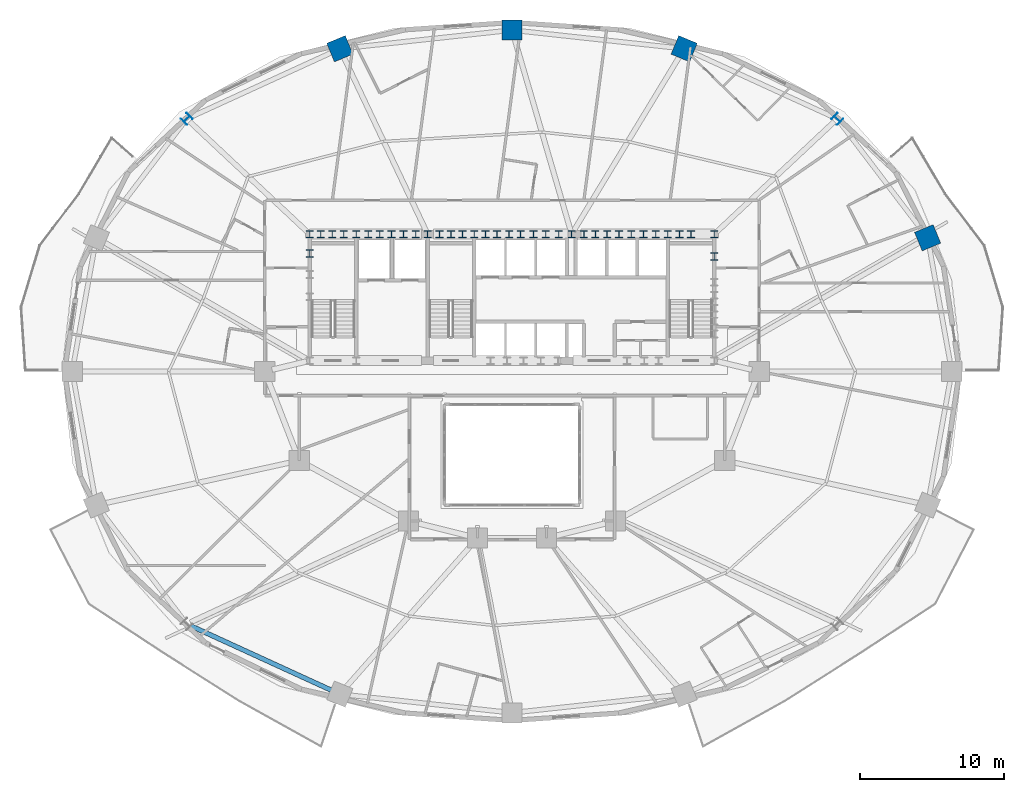
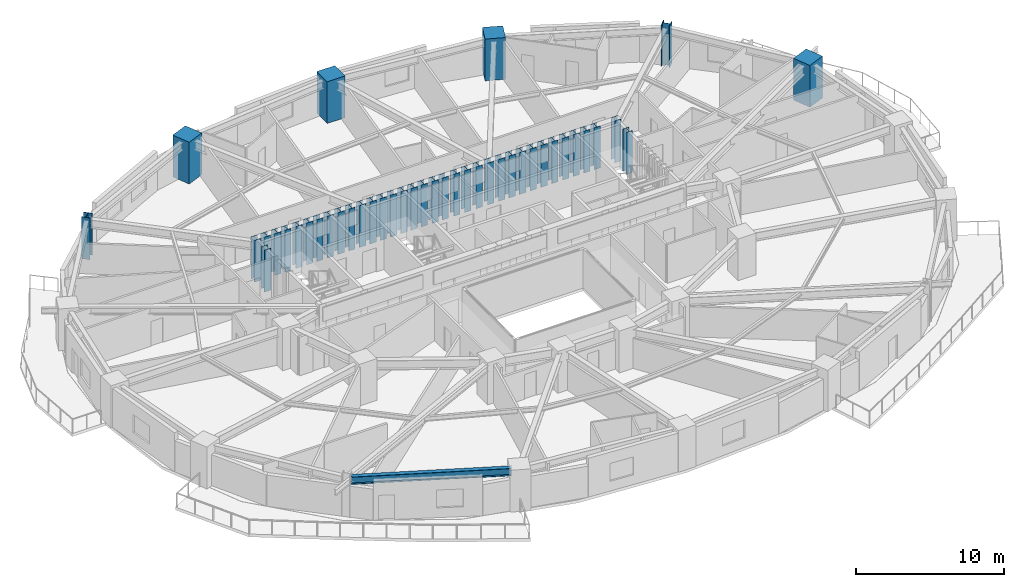
# One storey, part 2 of 17: 42 columns, 1 beam.
"""IFC4 building model written with IfcOpenShell, lengths in metres."""

from ifc_helpers import new_model, si_unit, direction, frame, origin, origin_2d, place, context, subcontext, project, spatial, rectangle, i_section, extrude, material, material_profile, profile_set, type_object, element, save


model = new_model("IFC4")

# Units and contexts
model_context = context("Model", 3, precision=1e-05, world=origin(), true_north=direction((0.0, 1.0)))
body_context = subcontext(model_context, "Body", "Model", "MODEL_VIEW")
ifc_project = project(units=[si_unit("LENGTHUNIT", "METRE"), si_unit("AREAUNIT", "SQUARE_METRE"), si_unit("VOLUMEUNIT", "CUBIC_METRE"), si_unit("PLANEANGLEUNIT", "RADIAN"), si_unit("MASSUNIT", "GRAM", prefix="KILO")], contexts=[model_context])

# Site, building, storey
site_placement = place(None, origin())
site = spatial("IfcSite", under=ifc_project, at=site_placement, CompositionType="ELEMENT")
building_placement = place(site_placement, origin())
building = spatial("IfcBuilding", under=site, at=building_placement, Name="Haldorwick Loom Tower", CompositionType="ELEMENT")
storey_placement = place(building_placement, frame((0.0, 0.0, 58.5)))
storey = spatial("IfcBuildingStorey", under=building, at=storey_placement, Name="L15", CompositionType="ELEMENT", Elevation=58.5)

# Columns
ifc_material_1 = material(Name="Concrete C60 (60 MPa)", Category="concrete")
ifc_material_profile_1 = material_profile(ifc_material_1, rectangle(XDim=1.39990234375, YDim=1.39990234375, at=origin_2d()), Name="RC1400X1400", Category="concrete")
ifc_profile_set_1 = profile_set([ifc_material_profile_1], Name="Concrete C60 (60 MPa)")
column_type_1 = type_object("IfcColumnType", Name="STR-COL-RC1400", PredefinedType="PILASTER", material=ifc_profile_set_1)
for number, where, z_axis, x_axis, name in (
    (1, (64.91748046875, 35.29931640625, 0.0), (0.0, 0.0, 1.0), (0.923879532511, 0.382683432365, 0.0), "L15 Perimeter Pier Column P02"),
    (2, (47.97802734375, 48.4501953125, 0.0), (0.0, 0.0, 1.0), (0.382683432365, 0.923879532511, 0.0), "L15 Perimeter Pier Column P04"),
    (3, (36.0, 49.75, 0.0), (0.0, 0.0, 1.0), (0.0, 1.0, 0.0), "L15 Perimeter Pier Column P05"),
    (4, (24.02197265625, 48.4501953125, 0.0), (0.0, 0.0, 1.0), (-0.382683432365, 0.923879532511, 0.0), "L15 Perimeter Pier Column P06"),
):
    element("IfcColumn", number, at=place(storey_placement, frame(where, z_axis=z_axis, x_axis=x_axis)), inside=storey, type_object=column_type_1, Name=name, PredefinedType="PILASTER", context=body_context, shape_type="SweptSolid", body=[
        extrude(rectangle(XDim=1.39990234375, YDim=1.39990234375, at=origin_2d()), origin(), (0.0, 0.0, 1.0), 3.449951171875),
    ])
ifc_material_2 = material(Name="Steel CSA G40.21 350WT", Category="steel")
ifc_material_profile_2 = material_profile(ifc_material_2, i_section(OverallWidth=0.5, OverallDepth=0.5, WebThickness=0.02197265625, FlangeThickness=0.031982421875, at=origin_2d()), Name="WWF500X500", Category="steel")
ifc_profile_set_2 = profile_set([ifc_material_profile_2], Name="Steel CSA G40.21 350WT")
column_type_2 = type_object("IfcColumnType", Name="STR-COL-WWF500", PredefinedType="COLUMN", material=ifc_profile_set_2)
for number, where, z_axis, x_axis, name in (
    (5, (21.929931640625, 35.550048828125, 0.0), (0.0, 0.0, 1.0), (1.0, 0.0, 0.0), "L15 Core Pilaster CB-01"),
    (6, (23.5, 35.550048828125, 0.0), (0.0, 0.0, 1.0), (1.0, 0.0, 0.0), "L15 Core Pilaster CB-02"),
    (7, (25.169921875, 35.550048828125, 0.0), (0.0, 0.0, 1.0), (1.0, 0.0, 0.0), "L15 Core Pilaster CB-03"),
    (8, (26.800048828125, 35.550048828125, 0.0), (0.0, 0.0, 1.0), (1.0, 0.0, 0.0), "L15 Core Pilaster CB-04"),
    (9, (28.449951171875, 35.550048828125, 0.0), (0.0, 0.0, 1.0), (1.0, 0.0, 0.0), "L15 Core Pilaster CB-05"),
    (10, (30.1298828125, 35.550048828125, 0.0), (0.0, 0.0, 1.0), (1.0, 0.0, 0.0), "L15 Core Pilaster CB-06"),
    (11, (31.75, 35.550048828125, 0.0), (0.0, 0.0, 1.0), (1.0, 0.0, 0.0), "L15 Core Pilaster CB-07"),
    (12, (33.3701171875, 35.550048828125, 0.0), (0.0, 0.0, 1.0), (1.0, 0.0, 0.0), "L15 Core Pilaster CB-08"),
    (13, (34.949951171875, 35.550048828125, 0.0), (0.0, 0.0, 1.0), (1.0, 0.0, 0.0), "L15 Core Pilaster CB-09"),
    (14, (36.60009765625, 35.550048828125, 0.0), (0.0, 0.0, 1.0), (1.0, 0.0, 0.0), "L15 Core Pilaster CB-10"),
    (15, (38.35009765625, 35.550048828125, 0.0), (0.0, 0.0, 1.0), (1.0, 0.0, 0.0), "L15 Core Pilaster CB-11"),
    (16, (40.14990234375, 35.550048828125, 0.0), (0.0, 0.0, 1.0), (1.0, 0.0, 0.0), "L15 Core Pilaster CB-12"),
    (17, (41.800048828125, 35.550048828125, 0.0), (0.0, 0.0, 1.0), (1.0, 0.0, 0.0), "L15 Core Pilaster CB-13"),
    (18, (43.449951171875, 35.550048828125, 0.0), (0.0, 0.0, 1.0), (1.0, 0.0, 0.0), "L15 Core Pilaster CB-14"),
    (19, (45.14990234375, 35.550048828125, 0.0), (0.0, 0.0, 1.0), (1.0, 0.0, 0.0), "L15 Core Pilaster CB-15"),
    (20, (46.830078125, 35.550048828125, 0.0), (0.0, 0.0, 1.0), (1.0, 0.0, 0.0), "L15 Core Pilaster CB-16"),
    (21, (48.449951171875, 35.550048828125, 0.0), (0.0, 0.0, 1.0), (1.0, 0.0, 0.0), "L15 Core Pilaster CB-17"),
    (22, (50.070068359375, 35.550048828125, 0.0), (0.0, 0.0, 1.0), (1.0, 0.0, 0.0), "L15 Core Pilaster CB-18"),
    (23, (21.929931640625, 34.199951171875, 0.0), (0.0, 0.0, 1.0), (1.0, 0.0, 0.0), "L15 Core Pilaster CB-28"),
    (24, (50.070068359375, 34.0, 0.0), (0.0, 0.0, 1.0), (1.0, 0.0, 0.0), "L15 Core Pilaster CB-32"),
    (25, (22.699951171875, 35.550048828125, 0.0), (0.0, 0.0, 1.0), (1.0, 0.0, 0.0), "L15 Core Pilaster CB-33"),
    (26, (27.6201171875, 35.550048828125, 0.0), (0.0, 0.0, 1.0), (1.0, 0.0, 0.0), "L15 Core Pilaster CB-34"),
    (27, (32.550048828125, 35.550048828125, 0.0), (0.0, 0.0, 1.0), (1.0, 0.0, 0.0), "L15 Core Pilaster CB-35"),
    (28, (37.5, 35.550048828125, 0.0), (0.0, 0.0, 1.0), (1.0, 0.0, 0.0), "L15 Core Pilaster CB-36"),
    (29, (42.6201171875, 35.550048828125, 0.0), (0.0, 0.0, 1.0), (1.0, 0.0, 0.0), "L15 Core Pilaster CB-37"),
    (30, (47.64990234375, 35.550048828125, 0.0), (0.0, 0.0, 1.0), (1.0, 0.0, 0.0), "L15 Core Pilaster CB-38"),
    (31, (24.300048828125, 35.550048828125, 0.0), (0.0, 0.0, 1.0), (1.0, 0.0, 0.0), "L15 Core Pilaster CB-39"),
    (32, (26.0, 35.550048828125, 0.0), (0.0, 0.0, 1.0), (1.0, 0.0, 0.0), "L15 Core Pilaster CB-40"),
    (33, (29.300048828125, 35.550048828125, 0.0), (0.0, 0.0, 1.0), (1.0, 0.0, 0.0), "L15 Core Pilaster CB-41"),
    (34, (30.949951171875, 35.550048828125, 0.0), (0.0, 0.0, 1.0), (1.0, 0.0, 0.0), "L15 Core Pilaster CB-42"),
    (35, (34.14990234375, 35.550048828125, 0.0), (0.0, 0.0, 1.0), (1.0, 0.0, 0.0), "L15 Core Pilaster CB-43"),
    (36, (35.800048828125, 35.550048828125, 0.0), (0.0, 0.0, 1.0), (1.0, 0.0, 0.0), "L15 Core Pilaster CB-44"),
    (37, (39.25, 35.550048828125, 0.0), (0.0, 0.0, 1.0), (1.0, 0.0, 0.0), "L15 Core Pilaster CB-45"),
    (38, (41.0, 35.550048828125, 0.0), (0.0, 0.0, 1.0), (1.0, 0.0, 0.0), "L15 Core Pilaster CB-46"),
    (39, (44.300048828125, 35.550048828125, 0.0), (0.0, 0.0, 1.0), (1.0, 0.0, 0.0), "L15 Core Pilaster CB-47"),
    (40, (46.0, 35.550048828125, 0.0), (0.0, 0.0, 1.0), (1.0, 0.0, 0.0), "L15 Core Pilaster CB-48"),
):
    element("IfcColumn", number, at=place(storey_placement, frame(where, z_axis=z_axis, x_axis=x_axis)), inside=storey, type_object=column_type_2, Name=name, PredefinedType="COLUMN", context=body_context, shape_type="SweptSolid", body=[
        extrude(i_section(OverallWidth=0.5, OverallDepth=0.5, WebThickness=0.02197265625, FlangeThickness=0.031982421875, at=origin_2d()), origin(), (0.0, 0.0, 1.0), 3.449951171875),
    ])
ifc_material_profile_3 = material_profile(ifc_material_2, i_section(OverallWidth=0.60009765625, OverallDepth=0.60009765625, WebThickness=0.02490234375, FlangeThickness=0.035888671875, at=origin_2d()), Name="WWF600X600", Category="steel")
ifc_profile_set_3 = profile_set([ifc_material_profile_3], Name="Steel CSA G40.21 350WT")
column_type_3 = type_object("IfcColumnType", Name="STR-COL-WWF600", PredefinedType="COLUMN", material=ifc_profile_set_3)
for number, where, z_axis, x_axis, name in (
    (41, (58.630126953125, 43.571533203125, 0.0), (0.0, 0.0, 1.0), (0.707106781187, 0.707106781187, 0.0), "L15 Perimeter Pier Column P03"),
    (42, (13.369873046875, 43.571533203125, 0.0), (0.0, 0.0, 1.0), (-0.707106781187, 0.707106781187, 0.0), "L15 Perimeter Pier Column P07"),
):
    element("IfcColumn", number, at=place(storey_placement, frame(where, z_axis=z_axis, x_axis=x_axis)), inside=storey, type_object=column_type_3, Name=name, PredefinedType="COLUMN", context=body_context, shape_type="SweptSolid", body=[
        extrude(i_section(OverallWidth=0.60009765625, OverallDepth=0.60009765625, WebThickness=0.02490234375, FlangeThickness=0.035888671875, at=origin_2d()), origin(), (0.0, 0.0, 1.0), 3.449951171875),
    ])

# Beam
ifc_material_3 = material(Name="Steel CSA G40.21 350W", Category="steel")
ifc_material_profile_4 = material_profile(ifc_material_3, i_section(OverallWidth=0.324951171875, OverallDepth=0.615966796875, WebThickness=0.013916015625, FlangeThickness=0.021484375, at=origin_2d()), Name="W610X174", Category="steel")
ifc_profile_set_4 = profile_set([ifc_material_profile_4], Name="Steel CSA G40.21 350W")
beam_type = type_object("IfcBeamType", Name="STR-BM-SP610", PredefinedType="SPANDREL", material=ifc_profile_set_4)
beam_placement = place(storey_placement, frame((13.619873046875, 8.31396484375, 2.902099609375), z_axis=(0.909173805321, -0.416416848504, 0.0), x_axis=(0.416416848504, 0.909173805321, 0.0)))
element("IfcBeam", 43, at=beam_placement, inside=storey, type_object=beam_type, Name="L15 Perimeter Spandrel 11", PredefinedType="SPANDREL", context=body_context, shape_type="SweptSolid", body=[
    extrude(i_section(OverallWidth=0.324951171875, OverallDepth=0.615966796875, WebThickness=0.013916015625, FlangeThickness=0.021484375, at=origin_2d()), origin(), (0.0, 0.0, 1.0), 10.92138671875),
])

save(model, "model.ifc")
